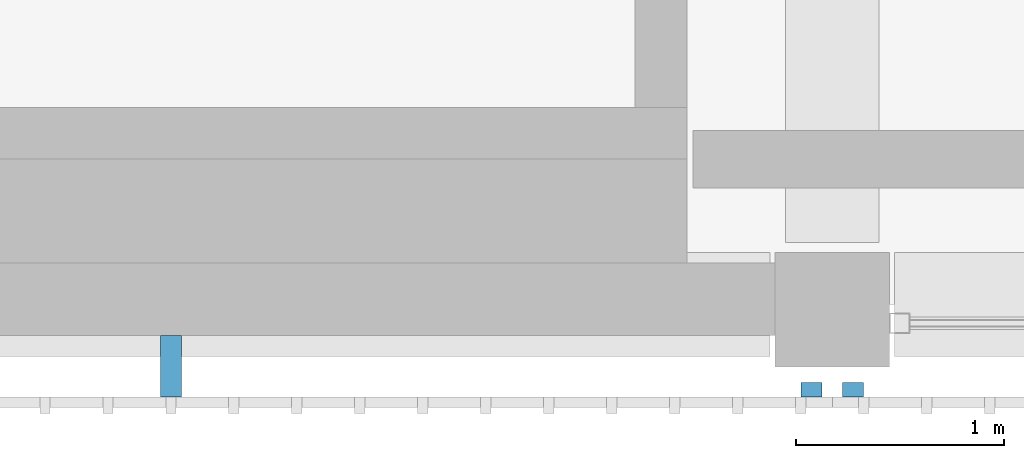
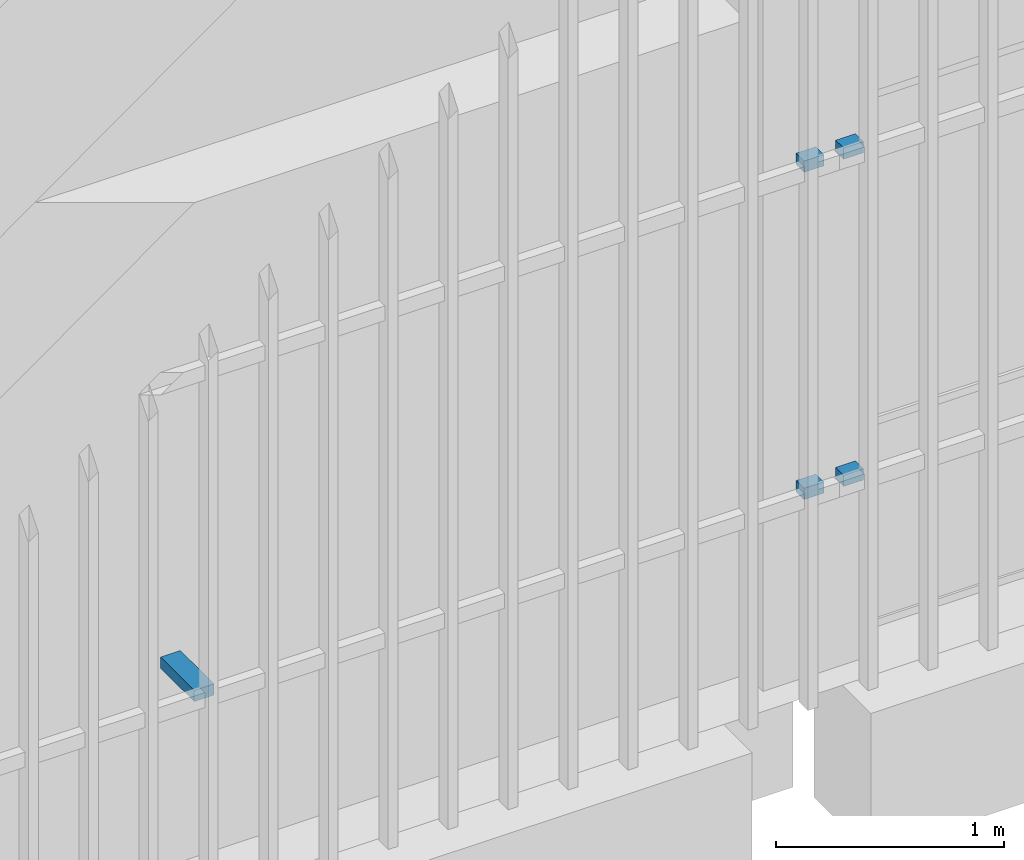
# One storey, part 98 of 126: 5 discrete accessories.
"""IFC4 building model written with IfcOpenShell, lengths in metres."""

from ifc_helpers import new_model, si_unit, direction, frame, origin, origin_2d, place, context, subcontext, project, spatial, rectangle, extrude, material, type_object, element, save


model = new_model("IFC4")

# Units and contexts
model_context = context("Model", 3, precision=1e-05, world=origin(), true_north=direction((0.0, 1.0)))
body_context = subcontext(model_context, "Body", "Model", "MODEL_VIEW")
ifc_project = project(units=[si_unit("LENGTHUNIT", "METRE"), si_unit("AREAUNIT", "SQUARE_METRE"), si_unit("VOLUMEUNIT", "CUBIC_METRE"), si_unit("PLANEANGLEUNIT", "RADIAN"), si_unit("MASSUNIT", "GRAM", prefix="KILO")], contexts=[model_context])

# Site, building, storey
site_placement = place(None, origin())
site = spatial("IfcSite", under=ifc_project, at=site_placement, CompositionType="ELEMENT")
building_placement = place(site_placement, origin())
building = spatial("IfcBuilding", under=site, at=building_placement, Name="Shirokan Park Arena", CompositionType="ELEMENT")
storey_placement = place(building_placement, frame((0.0, 0.0, 6.3701171875)))
storey = spatial("IfcBuildingStorey", under=building, at=storey_placement, Name="L01", CompositionType="ELEMENT", Elevation=6.3701171875)

# Discrete accessories
ifc_material = material(Name="Steel S355", Category="steel")
discrete_accessory_type = type_object("IfcDiscreteAccessoryType", Name="Veil bracket 100x60", PredefinedType="BRACKET", material=ifc_material)
for number, where, z_axis, x_axis, name in (
    (1, (127.300048828125, -0.409912109375, 1.06982421875), (0.0, 0.0, 1.0), (1.0, 0.0, 0.0), "Veil bracket south bay 14 L01 2"),
    (2, (127.300048828125, -0.409912109375, 2.81982421875), (0.0, 0.0, 1.0), (1.0, 0.0, 0.0), "Veil bracket south bay 14 L01 4"),
):
    element("IfcDiscreteAccessory", number, at=place(storey_placement, frame(where, z_axis=z_axis, x_axis=x_axis)), inside=storey, type_object=discrete_accessory_type, Name=name, PredefinedType="BRACKET", context=body_context, shape_type="SweptSolid", body=[
        extrude(rectangle(XDim=0.10009765625, YDim=0.070068359375, at=origin_2d()), origin(), (0.0, 0.0, 1.0), 0.06005859375),
    ])
discrete_accessory_placement = place(storey_placement, frame((124.215087890625, -0.297607421875, 1.06982421875), z_axis=(0.0, 0.0, 1.0), x_axis=(1.0, 0.0, 0.0)))
element("IfcDiscreteAccessory", 3, at=discrete_accessory_placement, inside=storey, type_object=discrete_accessory_type, Name="Veil bracket south bay 14 L01 wall 2", PredefinedType="BRACKET", context=body_context, shape_type="SweptSolid", body=[
    extrude(rectangle(XDim=0.10009765625, YDim=0.294921875, at=origin_2d()), origin(), (0.0, 0.0, 1.0), 0.06005859375),
])
for number, where, z_axis, x_axis, name in (
    (4, (127.5, -0.409912109375, 1.06982421875), (0.0, 0.0, 1.0), (1.0, 0.0, 0.0), "Veil bracket south bay 15 L01 1"),
    (5, (127.5, -0.409912109375, 2.81982421875), (0.0, 0.0, 1.0), (1.0, 0.0, 0.0), "Veil bracket south bay 15 L01 3"),
):
    element("IfcDiscreteAccessory", number, at=place(storey_placement, frame(where, z_axis=z_axis, x_axis=x_axis)), inside=storey, type_object=discrete_accessory_type, Name=name, PredefinedType="BRACKET", context=body_context, shape_type="SweptSolid", body=[
        extrude(rectangle(XDim=0.10009765625, YDim=0.070068359375, at=origin_2d()), origin(), (0.0, 0.0, 1.0), 0.06005859375),
    ])

save(model, "model.ifc")
